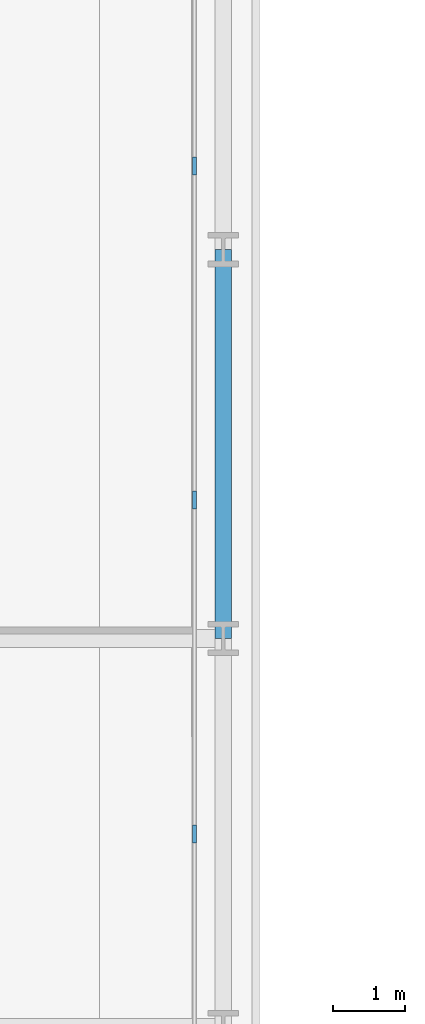
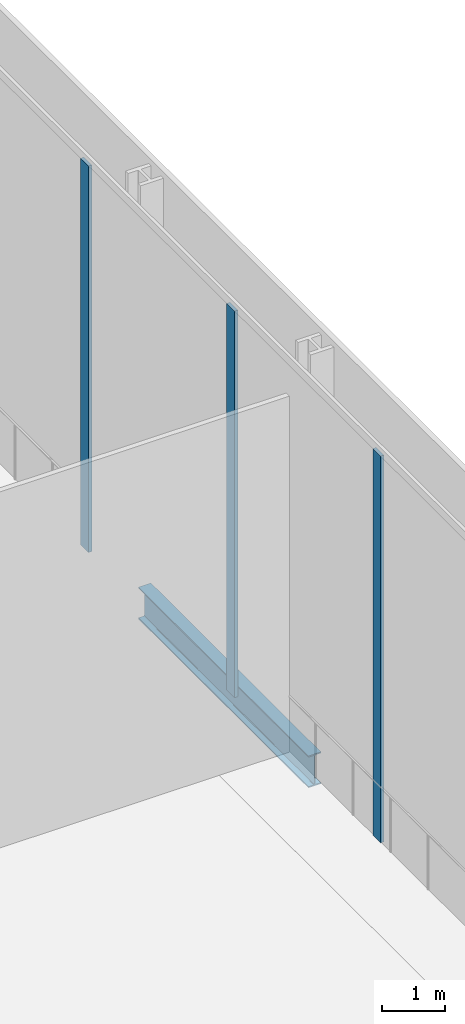
# One storey, part 14 of 36: 3 members, 1 beam, 1 element without a shape of its own.
"""IFC4 building model written with IfcOpenShell, lengths in metres."""

from ifc_helpers import new_model, si_unit, direction, frame, origin, origin_2d, place, context, subcontext, project, spatial, rectangle, i_section, extrude, material, layer, layer_set, material_profile, profile_set, type_object, element, aggregate, save


model = new_model("IFC4")

# Units and contexts
model_context = context("Model", 3, precision=1e-05, world=origin(), true_north=direction((0.0, 1.0)))
body_context = subcontext(model_context, "Body", "Model", "MODEL_VIEW")
ifc_project = project(units=[si_unit("LENGTHUNIT", "METRE"), si_unit("AREAUNIT", "SQUARE_METRE"), si_unit("VOLUMEUNIT", "CUBIC_METRE"), si_unit("PLANEANGLEUNIT", "RADIAN"), si_unit("MASSUNIT", "GRAM", prefix="KILO")], contexts=[model_context])

# Site, building, storey
site_placement = place(None, origin())
site = spatial("IfcSite", under=ifc_project, at=site_placement, CompositionType="ELEMENT")
building_placement = place(site_placement, origin())
building = spatial("IfcBuilding", under=site, at=building_placement, Name="Kheshtan School and Residences Tower", CompositionType="ELEMENT")
storey_placement = place(building_placement, frame((0.0, 0.0, 81.199951171875)))
storey = spatial("IfcBuildingStorey", under=building, at=storey_placement, Name="L19", CompositionType="ELEMENT", Elevation=81.199951171875)

# Beam
ifc_material_1 = material(Name="Steel ASTM A992 Grade 50", Category="steel")
ifc_material_profile_1 = material_profile(ifc_material_1, i_section(OverallWidth=0.22998046875, OverallDepth=0.616943359375, WebThickness=0.01318359375, FlangeThickness=0.022216796875, FilletRadius=0.0185546875, at=origin_2d()), Name="W610x140")
ifc_profile_set_1 = profile_set([ifc_material_profile_1], Name="Steel ASTM A992 Grade 50")
beam_type = type_object("IfcBeamType", Name="Beam SP1 W610x140 ASTM A992 Grade 50", PredefinedType="BEAM", material=ifc_profile_set_1)
beam_placement = place(storey_placement, frame((47.60009765625, 83.39990234375, -0.45849609375), z_axis=(0.0, -1.0, 0.0), x_axis=(1.0, 0.0, 0.0)))
element("IfcBeam", 1, at=beam_placement, inside=storey, type_object=beam_type, Name="Spandrel beam C091-C089", PredefinedType="BEAM", context=body_context, shape_type="SweptSolid", body=[
    extrude(i_section(OverallWidth=0.22998046875, OverallDepth=0.616943359375, WebThickness=0.01318359375, FlangeThickness=0.022216796875, FilletRadius=0.0185546875, at=origin_2d()), origin(), (0.0, 0.0, 1.0), 5.39990234375),
])

# Curtain wall, members
ifc_material_2 = material(Name="Clear low-e glass in thermally broken aluminium frame", Category="aluminium")
ifc_layer = layer(ifc_material_2, 0.25)
ifc_layer_set = layer_set([ifc_layer], Name="Curtain wall CW-K")
curtain_wall_type = type_object("IfcCurtainWallType", Name="Curtain wall CW-K", PredefinedType="NOTDEFINED", material=ifc_layer_set)
curtain_wall_placement = place(storey_placement, origin())
curtain_wall = element("IfcCurtainWall", 2, at=curtain_wall_placement, inside=storey, type_object=curtain_wall_type, Name="Curtain wall CWK24", PredefinedType="NOTDEFINED")
ifc_material_3 = material(Name="Thermally broken aluminium, dark bronze anodised", Category="aluminium")
ifc_material_profile_2 = material_profile(ifc_material_3, rectangle(XDim=0.06005859375, YDim=0.25, at=origin_2d()), Name="CW-K mullion 60x250")
ifc_profile_set_2 = profile_set([ifc_material_profile_2], Name="Thermally broken aluminium, dark bronze anodised")
member_type = type_object("IfcMemberType", Name="CW-K mullion 60x250", PredefinedType="MULLION", material=ifc_profile_set_2)
member_1_placement = place(storey_placement, frame((47.199951171875, 84.560546875, 0.0), z_axis=(0.0, 0.0, 1.0), x_axis=(1.0, 0.0, 0.0)))
member_1 = element("IfcMember", 3, at=member_1_placement, type_object=member_type, Name="CWK24 mullion 4", PredefinedType="MULLION", context=body_context, shape_type="SweptSolid", body=[
    extrude(rectangle(XDim=0.06005859375, YDim=0.25, at=origin_2d()), origin(), (0.0, 0.0, 1.0), 7.489990234375),
])
member_2_placement = place(storey_placement, frame((47.199951171875, 79.924072265625, 0.0), z_axis=(0.0, 0.0, 1.0), x_axis=(1.0, 0.0, 0.0)))
member_2 = element("IfcMember", 4, at=member_2_placement, type_object=member_type, Name="CWK24 mullion 5", PredefinedType="MULLION", context=body_context, shape_type="SweptSolid", body=[
    extrude(rectangle(XDim=0.06005859375, YDim=0.25, at=origin_2d()), origin(), (0.0, 0.0, 1.0), 7.489990234375),
])
member_3_placement = place(storey_placement, frame((47.199951171875, 75.287841796875, 0.0), z_axis=(0.0, 0.0, 1.0), x_axis=(1.0, 0.0, 0.0)))
member_3 = element("IfcMember", 5, at=member_3_placement, type_object=member_type, Name="CWK24 mullion 6", PredefinedType="MULLION", context=body_context, shape_type="SweptSolid", body=[
    extrude(rectangle(XDim=0.06005859375, YDim=0.25, at=origin_2d()), origin(), (0.0, 0.0, 1.0), 7.489990234375),
])
aggregate(curtain_wall, [member_1, member_2, member_3])

save(model, "model.ifc")
